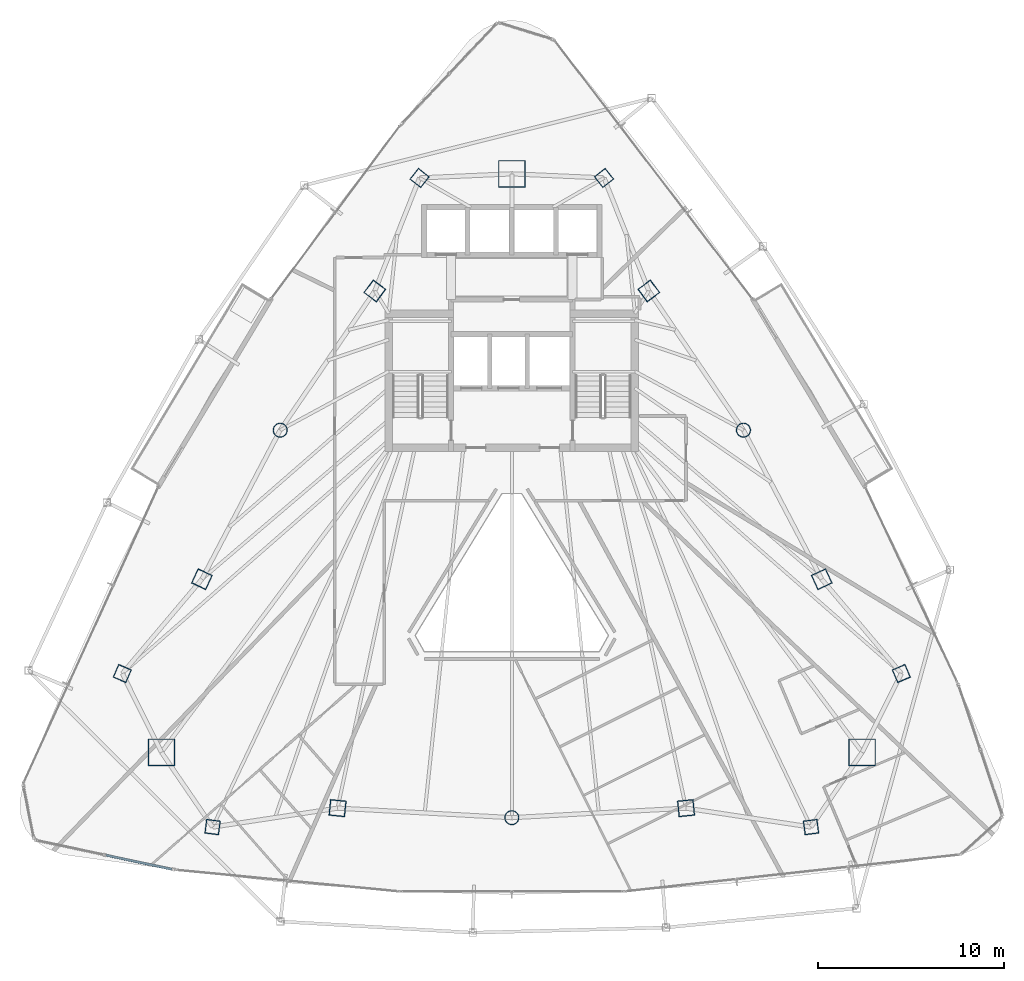
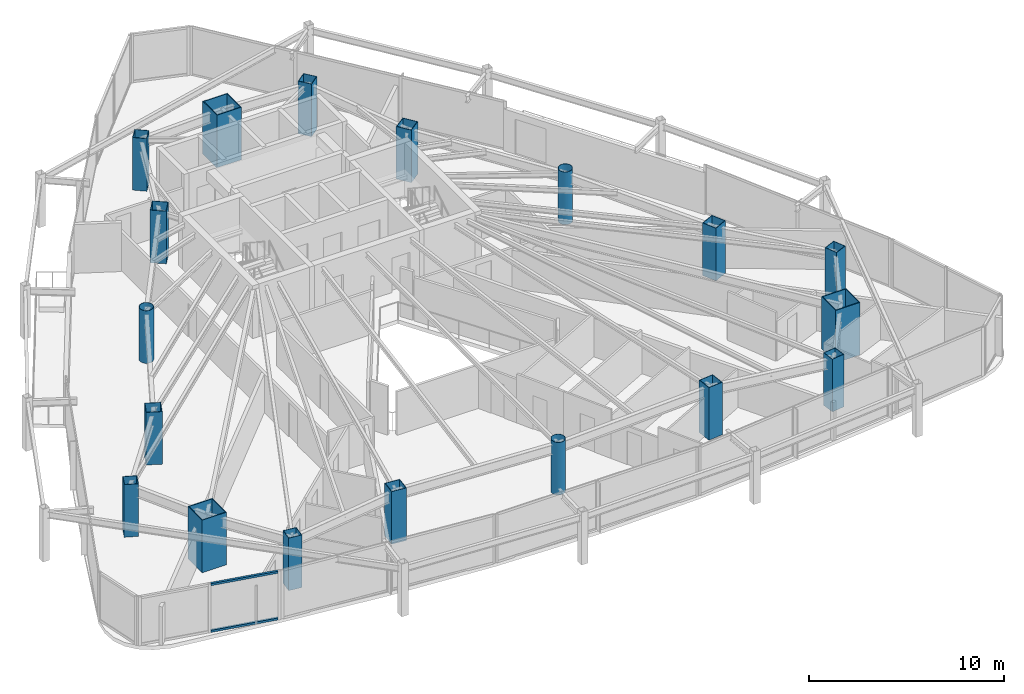
# One storey, part 1 of 31: 18 columns, 2 members, 1 element without a shape of its own.
"""IFC4 building model written with IfcOpenShell, lengths in metres."""

import ifcopenshell
import ifcopenshell.guid

model = None  # the IFC model being written
_history = None  # IfcOwnerHistory: only IFC2X3 demands one
_inside = {}  # id of a spatial element -> (the spatial element, [elements in it])
_under = {}  # id of a project, library or spatial element -> (it, [spatial elements below it])
_declared = {}  # id of a project -> (the project, [libraries it declares])
_typed = {}  # id of a type object -> (the type object, [elements of that type])
_made_of = {}  # id of a material, layer set ... -> (it, [elements and type objects made of it])


def new_model(schema):
    """Start an empty IFC model of exactly this schema.

    Asked for "IFC4X3", IfcOpenShell would pick the latest addendum, in which some entities
    have other attributes; the version numbers below select the first issue.
    IFC2X3 requires an IfcOwnerHistory on every rooted entity: one is made here for all.
    """
    global model, _history
    if schema == "IFC4X3":
        model = ifcopenshell.file(schema_version=(4, 3, 0, 0))
    else:
        model = ifcopenshell.file(schema=schema)
    _inside.clear()
    _under.clear()
    _declared.clear()
    _typed.clear()
    _made_of.clear()
    _history = None
    if model.schema == "IFC2X3":
        org = make("IfcOrganization", Name="unknown")
        user = make(
            "IfcPersonAndOrganization",
            ThePerson=make("IfcPerson", FamilyName="unknown"),
            TheOrganization=org,
        )
        app = make(
            "IfcApplication",
            ApplicationDeveloper=org,
            Version="unknown",
            ApplicationFullName="unknown",
            ApplicationIdentifier="unknown",
        )
        _history = make(
            "IfcOwnerHistory",
            OwningUser=user,
            OwningApplication=app,
            ChangeAction="ADDED",
            CreationDate=0,
        )
    return model


def make(cls, **values):
    """One entity of the class cls with the attributes given. An attribute that is None is left unset."""
    return model.create_entity(
        cls, **{name: value for name, value in values.items() if value is not None}
    )


def rooted(cls, **values):
    """An entity with a GlobalId (a new one), such as an element, a storey or a relation."""
    return make(cls, GlobalId=ifcopenshell.guid.new(), OwnerHistory=_history, **values)


def si_unit(unit_type, name, prefix=None):
    """IfcSIUnit, for example si_unit("LENGTHUNIT", "METRE", prefix="MILLI")."""
    return make("IfcSIUnit", UnitType=unit_type, Prefix=prefix, Name=name)


def assignment(units):
    """IfcUnitAssignment: the units of a project."""
    return None if units is None else make("IfcUnitAssignment", Units=units)


def point(xyz):
    """IfcCartesianPoint."""
    return None if xyz is None else make("IfcCartesianPoint", Coordinates=xyz)


def direction(xyz):
    """IfcDirection."""
    return None if xyz is None else make("IfcDirection", DirectionRatios=xyz)


def frame(location, z_axis=None, x_axis=None):
    """IfcAxis2Placement3D, a coordinate frame: its origin and axes. An axis left out is left unset."""
    return make(
        "IfcAxis2Placement3D",
        Location=point(location),
        Axis=direction(z_axis),
        RefDirection=direction(x_axis),
    )


def frame_2d(location, x_axis=None):
    """IfcAxis2Placement2D, a coordinate frame in the plane: its origin and x axis."""
    return make(
        "IfcAxis2Placement2D", Location=point(location), RefDirection=direction(x_axis)
    )


def origin():
    """The frame at (0, 0, 0) with its axes left unset."""
    return frame((0.0, 0.0, 0.0))


def origin_2d():
    """The frame at (0, 0) in the plane with its x axis left unset."""
    return frame_2d((0.0, 0.0))


def place(relative_to, where):
    """IfcLocalPlacement: puts the frame where relative to a parent placement (None: the world)."""
    return make(
        "IfcLocalPlacement", PlacementRelTo=relative_to, RelativePlacement=where
    )


def context(
    kind, dimensions, precision=None, world=None, true_north=None, identifier=None
):
    """IfcGeometricRepresentationContext, for example the 3D "Model" context."""
    return make(
        "IfcGeometricRepresentationContext",
        ContextIdentifier=identifier,
        ContextType=kind,
        CoordinateSpaceDimension=dimensions,
        Precision=precision,
        WorldCoordinateSystem=world,
        TrueNorth=true_north,
    )


def subcontext(parent, identifier, kind, view, scale=None):
    """IfcGeometricRepresentationSubContext, for example "Body" below "Model"."""
    return make(
        "IfcGeometricRepresentationSubContext",
        ContextIdentifier=identifier,
        ContextType=kind,
        ParentContext=parent,
        TargetScale=scale,
        TargetView=view,
    )


def project(units=None, contexts=None):
    """IfcProject with its units and contexts."""
    return rooted(
        "IfcProject",
        Name="project",
        RepresentationContexts=contexts,
        UnitsInContext=assignment(units),
    )


def spatial(cls, under=None, at=None, **own):
    """A site, building, storey or space (cls), placed at a placement, below another one or the project."""
    s = rooted(cls, ObjectPlacement=at, **own)
    if under is not None:
        _under.setdefault(under.id(), (under, []))[1].append(s)
    return s


def profile(cls, at=None, kind="AREA", **sizes):
    """A parametric profile (cls). Its sizes go by their IFC names, for example OverallWidth=200.0."""
    return make(cls, ProfileType=kind, Position=at, **sizes)


def hollow_rectangle(**sizes):
    """IfcRectangleHollowProfileDef."""
    return profile("IfcRectangleHollowProfileDef", **sizes)


def hollow_circle(**sizes):
    """IfcCircleHollowProfileDef."""
    return profile("IfcCircleHollowProfileDef", **sizes)


def extrude(swept, where, along, depth):
    """IfcExtrudedAreaSolid: the profile swept, set in the frame where, extruded along a direction by depth."""
    return make(
        "IfcExtrudedAreaSolid",
        SweptArea=swept,
        Position=where,
        ExtrudedDirection=direction(along),
        Depth=depth,
    )


def shape(context_of_items, identifier, shape_type, items):
    """IfcShapeRepresentation: the items that make up one representation, for example the "Body"."""
    return make(
        "IfcShapeRepresentation",
        ContextOfItems=context_of_items,
        RepresentationIdentifier=identifier,
        RepresentationType=shape_type,
        Items=items,
    )


def material(Name=None, Category=None):
    """IfcMaterial."""
    return make("IfcMaterial", Name=Name, Category=Category)


def layer(
    of_material, thickness, ventilated=None, Name=None, Category=None, Priority=None
):
    """IfcMaterialLayer: one layer of a wall or slab, of a material (None: an air gap)."""
    return make(
        "IfcMaterialLayer",
        Material=of_material,
        LayerThickness=thickness,
        IsVentilated=ventilated,
        Name=Name,
        Category=Category,
        Priority=Priority,
    )


def layer_set(layers, Name=None):
    """IfcMaterialLayerSet."""
    return make("IfcMaterialLayerSet", MaterialLayers=layers, LayerSetName=Name)


def material_profile(
    of_material, cross_section, Name=None, Category=None, Priority=None
):
    """IfcMaterialProfile: a cross section and its material."""
    return make(
        "IfcMaterialProfile",
        Name=Name,
        Material=of_material,
        Profile=cross_section,
        Priority=Priority,
        Category=Category,
    )


def profile_set(profiles, Name=None, composite=None):
    """IfcMaterialProfileSet."""
    return make(
        "IfcMaterialProfileSet",
        Name=Name,
        MaterialProfiles=profiles,
        CompositeProfile=composite,
    )


def made_of(thing, what):
    """Note that an element or type object is made of a material, layer set ...; save() writes the relation."""
    if what is not None:
        _made_of.setdefault(what.id(), (what, []))[1].append(thing)
    return thing


def type_object(cls, material=None, **own):
    """A type object (cls), such as IfcWallType, which elements share."""
    return made_of(rooted(cls, **own), material)


def element(
    cls,
    number,
    at=None,
    inside=None,
    cuts=None,
    type_object=None,
    material=None,
    context=None,
    identifier="Body",
    shape_type=None,
    held_by="IfcProductDefinitionShape",
    body=None,
    shapes=None,
    **own,
):
    """One element of the class cls, such as IfcWall. Its Tag is "e" and its number.

    at: its placement. inside: the storey or other place that contains it. cuts: it is an
    opening in that element (IfcRelVoidsElement). A single representation is given by context,
    identifier, shape_type and body (its items); several are given by shapes. held_by: the class
    of the entity that holds the representations. save() writes the other relations.
    """
    e = rooted(cls, Tag="e%d" % number, ObjectPlacement=at, **own)
    if body is not None:
        shapes = [shape(context, identifier, shape_type, body)]
    if shapes is not None:
        e.Representation = make(held_by, Representations=shapes)
    if inside is not None:
        _inside.setdefault(inside.id(), (inside, []))[1].append(e)
    if cuts is not None:
        rooted(
            "IfcRelVoidsElement", RelatingBuildingElement=cuts, RelatedOpeningElement=e
        )
    if type_object is not None:
        _typed.setdefault(type_object.id(), (type_object, []))[1].append(e)
    return made_of(e, material)


def aggregate(whole, parts):
    """IfcRelAggregates: a whole, such as a stair, and the parts it consists of."""
    return rooted("IfcRelAggregates", RelatingObject=whole, RelatedObjects=parts)


def save(model, path):
    """Write the relations noted so far, then the file.

    IfcRelAggregates (storeys below a building ...), IfcRelContainedInSpatialStructure (elements
    in a storey), IfcRelDefinesByType, IfcRelAssociatesMaterial and IfcRelDeclares: one each for
    every whole, place, type object, material and project.
    """
    for whole, parts in _under.values():
        aggregate(whole, parts)
    for where, things in _inside.values():
        rooted(
            "IfcRelContainedInSpatialStructure",
            RelatedElements=things,
            RelatingStructure=where,
        )
    for kind, things in _typed.values():
        rooted("IfcRelDefinesByType", RelatedObjects=things, RelatingType=kind)
    for what, things in _made_of.values():
        rooted("IfcRelAssociatesMaterial", RelatedObjects=things, RelatingMaterial=what)
    for by, libraries in _declared.values():
        rooted("IfcRelDeclares", RelatingContext=by, RelatedDefinitions=libraries)
    model.write(path)


model = new_model("IFC4")

# Units and contexts
model_context = context("Model", 3, precision=1e-05, world=origin(), true_north=direction((0.0, 1.0)))
body_context = subcontext(model_context, "Body", "Model", "MODEL_VIEW")
ifc_project = project(units=[si_unit("LENGTHUNIT", "METRE"), si_unit("AREAUNIT", "SQUARE_METRE"), si_unit("VOLUMEUNIT", "CUBIC_METRE"), si_unit("PLANEANGLEUNIT", "RADIAN"), si_unit("MASSUNIT", "GRAM", prefix="KILO")], contexts=[model_context])

# Site, building, storey
site_placement = place(None, origin())
site = spatial("IfcSite", under=ifc_project, at=site_placement, CompositionType="ELEMENT")
building_placement = place(site_placement, origin())
building = spatial("IfcBuilding", under=site, at=building_placement, Name="Orvanel Arch Residences", CompositionType="ELEMENT")
storey_placement = place(building_placement, frame((0.0, 0.0, 110.0)))
storey = spatial("IfcBuildingStorey", under=building, at=storey_placement, Name="L30", CompositionType="ELEMENT", Elevation=110.0)

# Columns
ifc_material_1 = material(Name="Structural steel AS/NZS 1163 C450L0 (Grade 450)", Category="steel")
ifc_material_profile_1 = material_profile(ifc_material_1, hollow_circle(Radius=0.381103515625, WallThickness=0.02197265625, at=origin_2d()), Name="CHS762x22")
ifc_profile_set_1 = profile_set([ifc_material_profile_1], Name="Structural steel AS/NZS 1163 C450L0 (Grade 450)")
column_type_1 = type_object("IfcColumnType", Name="CC-762", PredefinedType="COLUMN", material=ifc_profile_set_1)
for number, where, z_axis, x_axis, name in (
    (1, (20.569091796875, 27.64111328125, 0.0), (0.0, 0.0, 1.0), (1.0, 0.0, 0.0), "L30 High-Rise Tube Column 02"),
    (2, (33.0, 6.843994140625, 0.0), (0.0, 0.0, 1.0), (1.0, 0.0, 0.0), "L30 High-Rise Tube Column 05"),
    (3, (45.430908203125, 27.64111328125, 0.0), (0.0, 0.0, 1.0), (1.0, 0.0, 0.0), "L30 High-Rise Tube Column 08"),
):
    element("IfcColumn", number, at=place(storey_placement, frame(where, z_axis=z_axis, x_axis=x_axis)), inside=storey, type_object=column_type_1, Name=name, PredefinedType="COLUMN", context=body_context, shape_type="SweptSolid", body=[
        extrude(hollow_circle(Radius=0.381103515625, WallThickness=0.02197265625, at=origin_2d()), origin(), (0.0, 0.0, 1.0), 3.300048828125),
    ])
ifc_material_2 = material(Name="Structural steel AS/NZS 3678 Grade 450", Category="steel")
ifc_material_profile_2 = material_profile(ifc_material_2, hollow_rectangle(XDim=1.449951171875, YDim=1.449951171875, WallThickness=0.044921875, at=origin_2d()), Name="BOX1450x1450x45")
ifc_profile_set_2 = profile_set([ifc_material_profile_2], Name="Structural steel AS/NZS 3678 Grade 450")
column_type_2 = type_object("IfcColumnType", Name="MC-1450", PredefinedType="COLUMN", material=ifc_profile_set_2)
for number, where, z_axis, x_axis, name in (
    (4, (33.0, 41.39794921875, 0.0), (0.0, 0.0, 1.0), (1.0, 0.0, 0.0), "L30 Corner Mega-Column 1"),
    (5, (14.198974609375, 10.35107421875, 0.0), (0.0, 0.0, 1.0), (1.0, 0.0, 0.0), "L30 Corner Mega-Column 2"),
    (6, (51.801025390625, 10.35107421875, 0.0), (0.0, 0.0, 1.0), (1.0, 0.0, 0.0), "L30 Corner Mega-Column 3"),
):
    element("IfcColumn", number, at=place(storey_placement, frame(where, z_axis=z_axis, x_axis=x_axis)), inside=storey, type_object=column_type_2, Name=name, PredefinedType="COLUMN", context=body_context, shape_type="SweptSolid", body=[
        extrude(hollow_rectangle(XDim=1.449951171875, YDim=1.449951171875, WallThickness=0.044921875, at=origin_2d()), origin(), (0.0, 0.0, 1.0), 3.300048828125),
    ])
ifc_material_3 = material(Name="Structural steel AS/NZS 3678 Grade 350", Category="steel")
ifc_material_profile_3 = material_profile(ifc_material_3, hollow_rectangle(XDim=0.75, YDim=0.75, WallThickness=0.02490234375, at=origin_2d()), Name="BOX750x750x25")
ifc_profile_set_3 = profile_set([ifc_material_profile_3], Name="Structural steel AS/NZS 3678 Grade 350")
column_type_3 = type_object("IfcColumnType", Name="TC-750", PredefinedType="COLUMN", material=ifc_profile_set_3)
for number, where, z_axis, x_axis, name in (
    (7, (28.050048828125, 41.177978515625, 0.0), (0.0, 0.0, 1.0), (0.623879596709, 0.781520472419, 0.0), "L30 Mid-Rise Buttress Tube Column 01"),
    (8, (12.094970703125, 14.580078125, 0.0), (0.0, 0.0, 1.0), (0.397147890635, 0.917754625684, 0.0), "L30 Mid-Rise Buttress Tube Column 02"),
    (9, (16.94091796875, 6.339111328125, 0.0), (0.0, 0.0, 1.0), (-0.99189444259, 0.127064608601, 0.0), "L30 Mid-Rise Buttress Tube Column 03"),
    (10, (49.05908203125, 6.339111328125, 0.0), (0.0, 0.0, 1.0), (0.99189444259, 0.127064608601, 0.0), "L30 Mid-Rise Buttress Tube Column 04"),
    (11, (53.905029296875, 14.580078125, 0.0), (0.0, 0.0, 1.0), (-0.397147890635, 0.917754625684, 0.0), "L30 Mid-Rise Buttress Tube Column 05"),
    (12, (37.949951171875, 41.177978515625, 0.0), (0.0, 0.0, 1.0), (-0.623879596709, 0.781520472419, 0.0), "L30 Mid-Rise Buttress Tube Column 06"),
):
    element("IfcColumn", number, at=place(storey_placement, frame(where, z_axis=z_axis, x_axis=x_axis)), inside=storey, type_object=column_type_3, Name=name, PredefinedType="COLUMN", context=body_context, shape_type="SweptSolid", body=[
        extrude(hollow_rectangle(XDim=0.75, YDim=0.75, WallThickness=0.02490234375, at=origin_2d()), origin(), (0.0, 0.0, 1.0), 3.300048828125),
    ])
ifc_material_profile_4 = material_profile(ifc_material_3, hollow_rectangle(XDim=0.85009765625, YDim=0.85009765625, WallThickness=0.028076171875, at=origin_2d()), Name="BOX850x850x28")
ifc_profile_set_4 = profile_set([ifc_material_profile_4], Name="Structural steel AS/NZS 3678 Grade 350")
column_type_4 = type_object("IfcColumnType", Name="TC-850", PredefinedType="COLUMN", material=ifc_profile_set_4)
for number, where, z_axis, x_axis, name in (
    (13, (25.64794921875, 35.113037109375, 0.0), (0.0, 0.0, 1.0), (0.600420225326, 0.799684658487, 0.0), "L30 High-Rise Tube Column 01"),
    (14, (16.366943359375, 19.64208984375, 0.0), (0.0, 0.0, 1.0), (0.422618261741, 0.906307787037, 0.0), "L30 High-Rise Tube Column 03"),
    (15, (23.64892578125, 7.35498046875, 0.0), (0.0, 0.0, 1.0), (-0.994880708829, 0.101056297183, 0.0), "L30 High-Rise Tube Column 04"),
    (16, (42.35107421875, 7.35498046875, 0.0), (0.0, 0.0, 1.0), (0.994880708829, 0.101056297183, 0.0), "L30 High-Rise Tube Column 06"),
    (17, (49.633056640625, 19.64208984375, 0.0), (0.0, 0.0, 1.0), (-0.422618261741, 0.906307787037, 0.0), "L30 High-Rise Tube Column 07"),
    (18, (40.35205078125, 35.113037109375, 0.0), (0.0, 0.0, 1.0), (-0.600420225326, 0.799684658487, 0.0), "L30 High-Rise Tube Column 09"),
):
    element("IfcColumn", number, at=place(storey_placement, frame(where, z_axis=z_axis, x_axis=x_axis)), inside=storey, type_object=column_type_4, Name=name, PredefinedType="COLUMN", context=body_context, shape_type="SweptSolid", body=[
        extrude(hollow_rectangle(XDim=0.85009765625, YDim=0.85009765625, WallThickness=0.028076171875, at=origin_2d()), origin(), (0.0, 0.0, 1.0), 3.300048828125),
    ])

# Curtain wall, members
ifc_material_4 = material(Name="Bronze-anodised aluminium AA6063-T6", Category="aluminium")
ifc_layer = layer(ifc_material_4, 0.18994140625)
ifc_layer_set = layer_set([ifc_layer], Name="Bronze-anodised aluminium AA6063-T6")
curtain_wall_type = type_object("IfcCurtainWallType", Name="CW5-CRN-SYS", PredefinedType="NOTDEFINED", material=ifc_layer_set)
curtain_wall_placement = place(storey_placement, origin())
curtain_wall = element("IfcCurtainWall", 19, at=curtain_wall_placement, inside=storey, type_object=curtain_wall_type, Name="L30 CW5-CRN-SYS Unitised Curtain Wall", PredefinedType="NOTDEFINED")
ifc_material_profile_5 = material_profile(ifc_material_4, hollow_rectangle(XDim=0.1298828125, YDim=0.1298828125, WallThickness=0.00439453125, at=origin_2d()), Name="ALU130x130x4.5")
ifc_profile_set_5 = profile_set([ifc_material_profile_5], Name="Bronze-anodised aluminium AA6063-T6")
member_type = type_object("IfcMemberType", Name="TRN-130x130", PredefinedType="USERDEFINED", material=ifc_profile_set_5)
member_1_placement = place(storey_placement, frame((11.219970703125, 4.830810546875, 0.06494140625), z_axis=(0.978063003679, -0.208309291282, 0.0), x_axis=(0.208309291282, 0.978063003679, 0.0)))
member_1 = element("IfcMember", 20, at=member_1_placement, type_object=member_type, Name="CW-S5 transom 2.1", ObjectType="TRANSOM", PredefinedType="USERDEFINED", context=body_context, shape_type="SweptSolid", body=[
    extrude(hollow_rectangle(XDim=0.1298828125, YDim=0.1298828125, WallThickness=0.00439453125, at=origin_2d()), origin(), (0.0, 0.0, 1.0), 3.622802734375),
])
member_2_placement = place(storey_placement, frame((11.219970703125, 4.830810546875, 2.9951171875), z_axis=(0.978063003679, -0.208309291282, 0.0), x_axis=(0.208309291282, 0.978063003679, 0.0)))
member_2 = element("IfcMember", 21, at=member_2_placement, type_object=member_type, Name="CW-S5 transom 2.2", ObjectType="TRANSOM", PredefinedType="USERDEFINED", context=body_context, shape_type="SweptSolid", body=[
    extrude(hollow_rectangle(XDim=0.1298828125, YDim=0.1298828125, WallThickness=0.00439453125, at=origin_2d()), origin(), (0.0, 0.0, 1.0), 3.622802734375),
])
aggregate(curtain_wall, [member_1, member_2])

save(model, "model.ifc")
